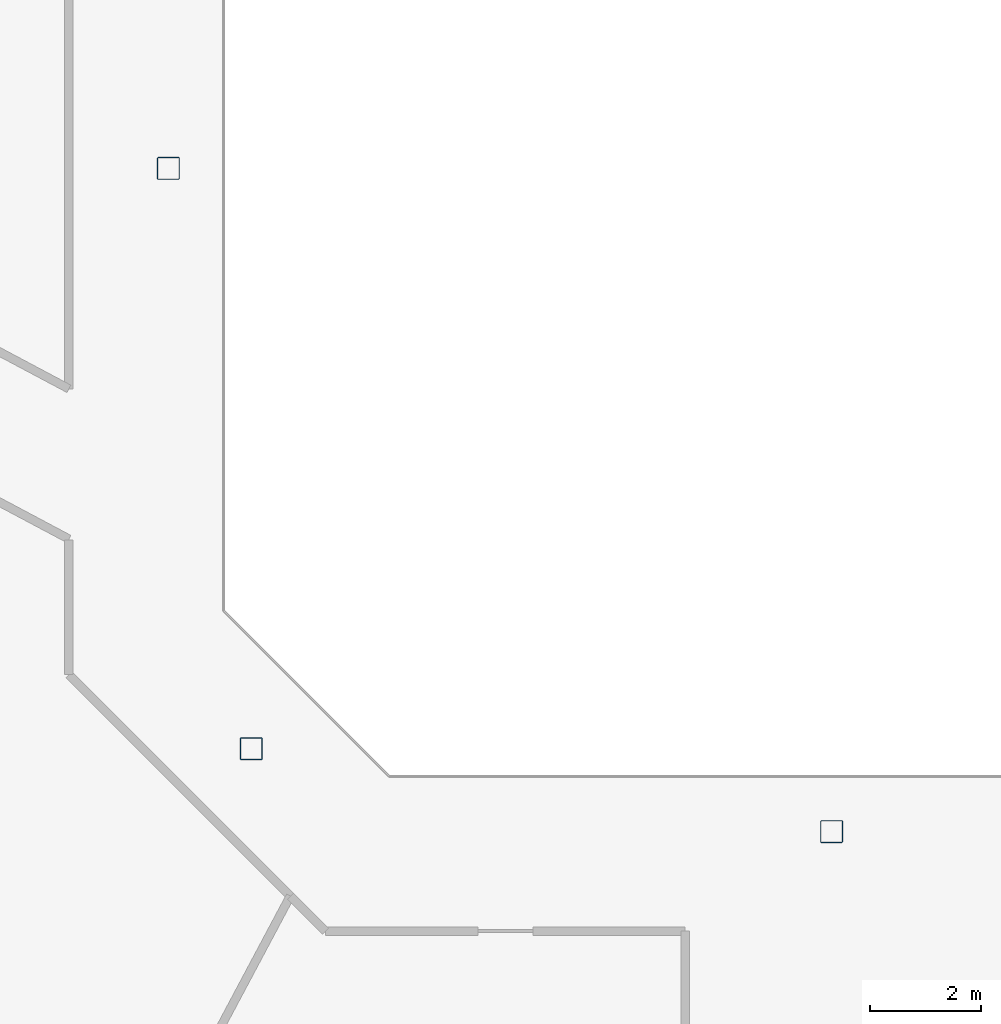
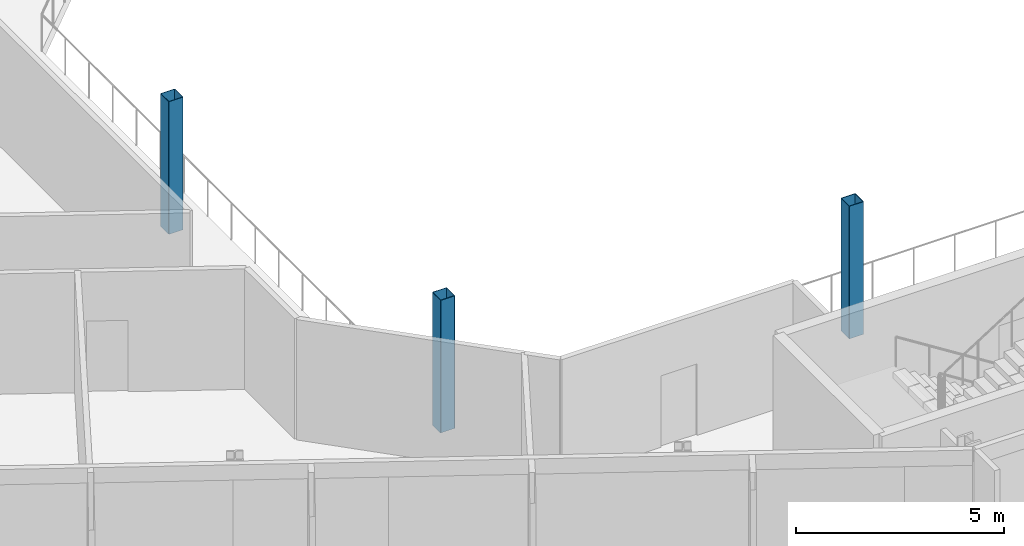
# One storey, part 2 of 27: 3 columns.
"""IFC4 building model written with IfcOpenShell, lengths in metres."""

from ifc_helpers import new_model, si_unit, direction, frame, origin, origin_2d, place, context, subcontext, project, spatial, hollow_rectangle, extrude, material, material_profile, profile_set, type_object, element, save


model = new_model("IFC4")

# Units and contexts
model_context = context("Model", 3, precision=1e-05, world=origin(), true_north=direction((0.0, 1.0)))
body_context = subcontext(model_context, "Body", "Model", "MODEL_VIEW")
ifc_project = project(units=[si_unit("LENGTHUNIT", "METRE"), si_unit("AREAUNIT", "SQUARE_METRE"), si_unit("VOLUMEUNIT", "CUBIC_METRE"), si_unit("PLANEANGLEUNIT", "RADIAN"), si_unit("MASSUNIT", "GRAM", prefix="KILO")], contexts=[model_context])

# Site, building, storey
site_placement = place(None, origin())
site = spatial("IfcSite", under=ifc_project, at=site_placement, CompositionType="ELEMENT")
building_placement = place(site_placement, origin())
building = spatial("IfcBuilding", under=site, at=building_placement, Name="Cormorant Relay Tower", CompositionType="ELEMENT")
storey_placement = place(building_placement, frame((0.0, 0.0, 201.300048828125)))
storey = spatial("IfcBuildingStorey", under=building, at=storey_placement, Name="L43", CompositionType="ELEMENT", Elevation=201.300048828125)

# Columns
ifc_material = material(Name="Steel ASTM A500 Grade C (Fy 345 MPa)", Category="steel")
ifc_material_profile = material_profile(ifc_material, hollow_rectangle(XDim=0.406494140625, YDim=0.406494140625, WallThickness=0.0146484375, InnerFilletRadius=0.00732421875, OuterFilletRadius=0.022216796875, at=origin_2d()), Name="HSS406x406x15")
ifc_profile_set = profile_set([ifc_material_profile], Name="Steel ASTM A500 Grade C (Fy 345 MPa)")
column_type = type_object("IfcColumnType", Name="Column HSS406x406x15", PredefinedType="COLUMN", material=ifc_profile_set)
for number, where, z_axis, x_axis, name in (
    (1, (0.0, -12.0, 0.0), (0.0, 0.0, 1.0), (1.0, 0.0, 0.0), "Column L43-007"),
    (2, (-10.5, -10.5, 0.0), (0.0, 0.0, 1.0), (1.0, 0.0, 0.0), "Column L43-009"),
    (3, (-12.0, 0.0, 0.0), (0.0, 0.0, 1.0), (1.0, 0.0, 0.0), "Column L43-015"),
):
    element("IfcColumn", number, at=place(storey_placement, frame(where, z_axis=z_axis, x_axis=x_axis)), inside=storey, type_object=column_type, Name=name, PredefinedType="COLUMN", context=body_context, shape_type="SweptSolid", body=[
        extrude(hollow_rectangle(XDim=0.406494140625, YDim=0.406494140625, WallThickness=0.0146484375, InnerFilletRadius=0.00732421875, OuterFilletRadius=0.022216796875, at=origin_2d()), origin(), (0.0, 0.0, 1.0), 3.89990234375),
    ])

save(model, "model.ifc")
